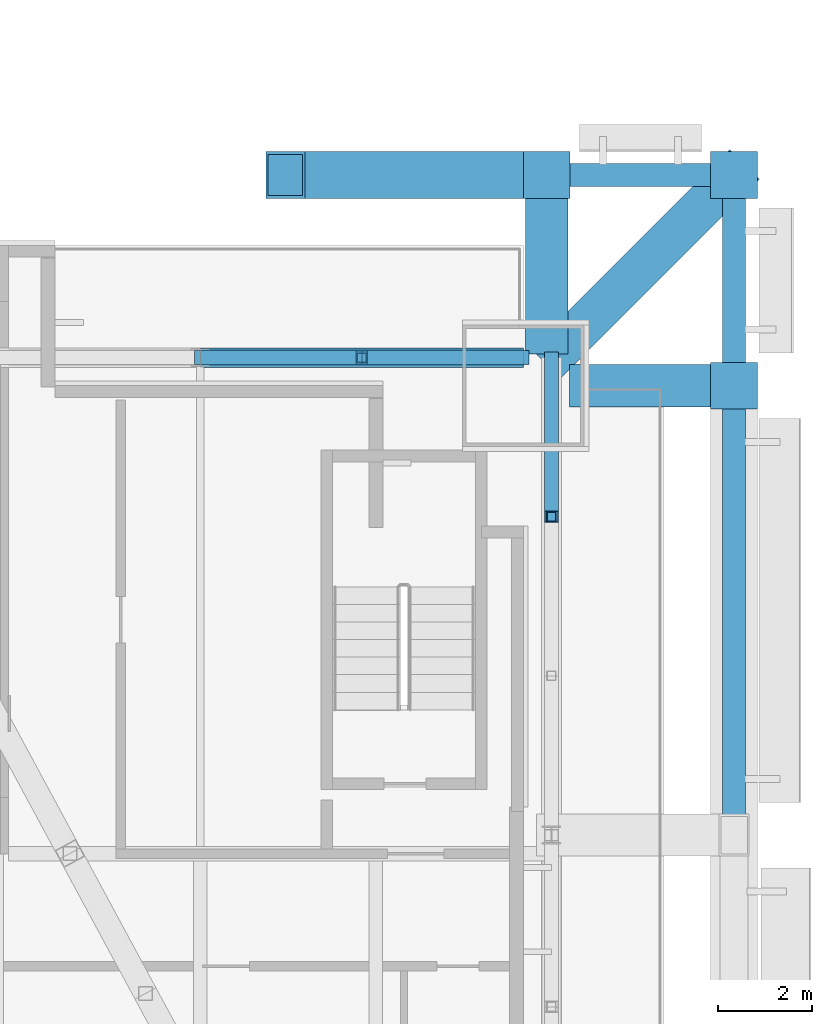
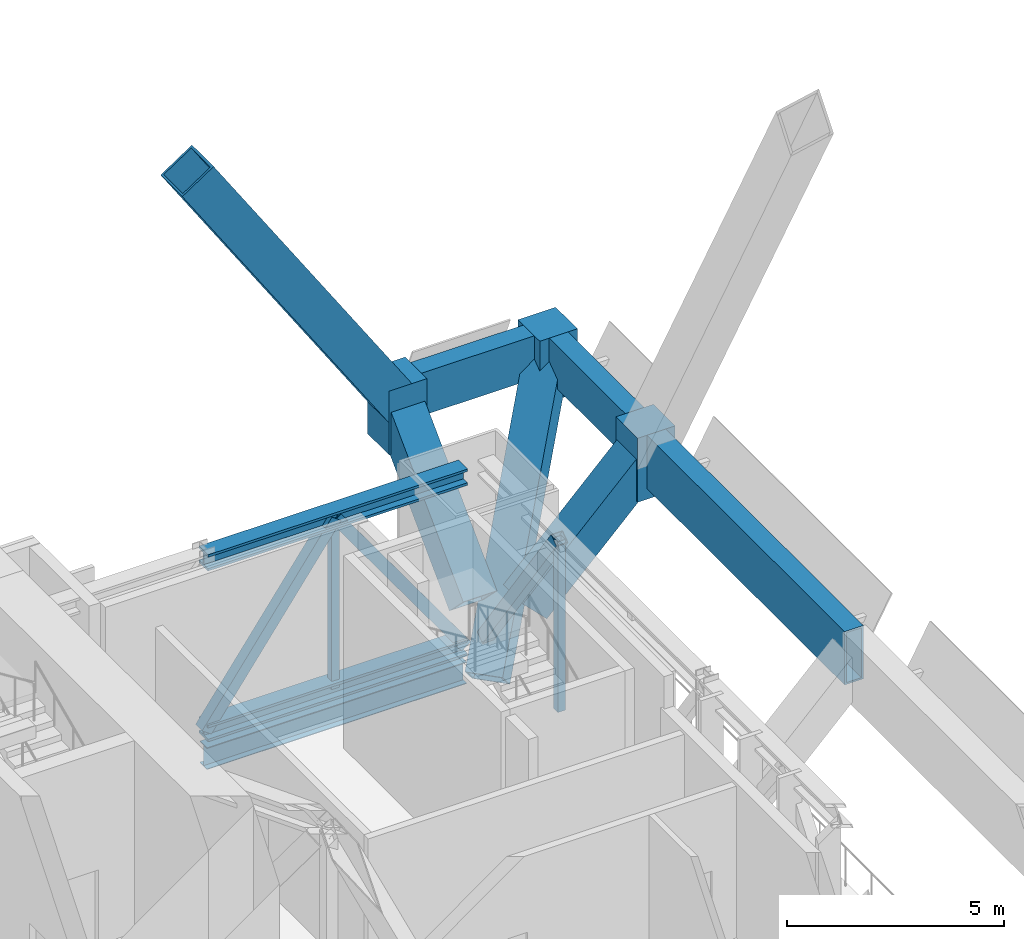
# One storey, part 18 of 30: 14 members, 4 beams.
"""IFC4 building model written with IfcOpenShell, lengths in metres."""

from ifc_helpers import new_model, si_unit, direction, frame, origin, origin_2d, place, context, subcontext, project, spatial, rectangle, hollow_rectangle, i_section, extrude, material, material_profile, profile_set, type_object, element, save


model = new_model("IFC4")

# Units and contexts
model_context = context("Model", 3, precision=1e-05, world=origin(), true_north=direction((0.0, 1.0)))
body_context = subcontext(model_context, "Body", "Model", "MODEL_VIEW")
ifc_project = project(units=[si_unit("LENGTHUNIT", "METRE"), si_unit("AREAUNIT", "SQUARE_METRE"), si_unit("VOLUMEUNIT", "CUBIC_METRE"), si_unit("PLANEANGLEUNIT", "RADIAN"), si_unit("MASSUNIT", "GRAM", prefix="KILO")], contexts=[model_context])

# Site, building, storey
site_placement = place(None, origin())
site = spatial("IfcSite", under=ifc_project, at=site_placement, CompositionType="ELEMENT")
building_placement = place(site_placement, origin())
building = spatial("IfcBuilding", under=site, at=building_placement, Name="Bicima Exchange Tower", CompositionType="ELEMENT")
storey_placement = place(building_placement, frame((0.0, 0.0, 185.5)))
storey = spatial("IfcBuildingStorey", under=building, at=storey_placement, Name="L41", CompositionType="ELEMENT", Elevation=185.5)

# Beams
ifc_material_1 = material(Name="Steel ASTM A572 Gr 50", Category="steel")
ifc_material_profile_1 = material_profile(ifc_material_1, hollow_rectangle(XDim=0.5, YDim=1.199951171875, WallThickness=0.0400390625, at=origin_2d()))
ifc_profile_set_1 = profile_set([ifc_material_profile_1], Name="Steel ASTM A572 Gr 50")
beam_type_1 = type_object("IfcBeamType", Name="Belt girder BOX 500x1200x40", PredefinedType="BEAM", material=ifc_profile_set_1)
beam_1_placement = place(storey_placement, frame((37.5, -3.0, 4.64990234375), z_axis=(0.0, 1.0, 0.0), x_axis=(-1.0, 0.0, 0.0)))
element("IfcBeam", 1, at=beam_1_placement, inside=storey, type_object=beam_type_1, Name="Belt girder", PredefinedType="BEAM", context=body_context, shape_type="SweptSolid", body=[
    extrude(hollow_rectangle(XDim=0.5, YDim=1.199951171875, WallThickness=0.0400390625, at=origin_2d()), origin(), (0.0, 0.0, 1.0), 4.5),
])
beam_2_placement = place(storey_placement, frame((37.5, 1.5, 4.64990234375), z_axis=(-1.0, 0.0, 0.0), x_axis=(0.0, -1.0, 0.0)))
element("IfcBeam", 2, at=beam_2_placement, inside=storey, type_object=beam_type_1, Name="Belt girder", PredefinedType="BEAM", context=body_context, shape_type="SweptSolid", body=[
    extrude(hollow_rectangle(XDim=0.5, YDim=1.199951171875, WallThickness=0.0400390625, at=origin_2d()), origin(), (0.0, 0.0, 1.0), 4.0),
])
ifc_material_profile_2 = material_profile(ifc_material_1, hollow_rectangle(XDim=0.5, YDim=1.5, WallThickness=0.050048828125, at=origin_2d()))
ifc_profile_set_2 = profile_set([ifc_material_profile_2], Name="Steel ASTM A572 Gr 50")
beam_type_2 = type_object("IfcBeamType", Name="Belt girder BOX 500x1500x50", PredefinedType="BEAM", material=ifc_profile_set_2)
beam_3_placement = place(storey_placement, frame((37.5, -12.60009765625, 4.5), z_axis=(0.0, 1.0, 0.0), x_axis=(-1.0, 0.0, 0.0)))
element("IfcBeam", 3, at=beam_3_placement, inside=storey, type_object=beam_type_2, Name="Belt girder", PredefinedType="BEAM", context=body_context, shape_type="SweptSolid", body=[
    extrude(hollow_rectangle(XDim=0.5, YDim=1.5, WallThickness=0.050048828125, at=origin_2d()), origin(), (0.0, 0.0, 1.0), 9.60009765625),
])

# Members
ifc_material_2 = material(Name="Steel ASTM A992 Gr 50", Category="steel")
ifc_material_profile_3 = material_profile(ifc_material_2, i_section(OverallWidth=0.419189453125, OverallDepth=0.45458984375, WebThickness=0.042236328125, FlangeThickness=0.067626953125, at=origin_2d()))
ifc_profile_set_3 = profile_set([ifc_material_profile_3], Name="Steel ASTM A992 Gr 50")
member_type_1 = type_object("IfcMemberType", Name="Belt truss chord W14x370", PredefinedType="CHORD", material=ifc_profile_set_3)
for number, where, z_axis, x_axis, name in (
    (4, (26.10009765625, -2.39990234375, 5.022705078125), (1.0, 0.0, 0.0), (0.0, 1.0, 0.0), "Top chord"),
    (5, (26.10009765625, -2.39990234375, 0.227294921875), (1.0, 0.0, 0.0), (0.0, 1.0, 0.0), "Bottom chord"),
):
    element("IfcMember", number, at=place(storey_placement, frame(where, z_axis=z_axis, x_axis=x_axis)), inside=storey, type_object=member_type_1, Name=name, PredefinedType="CHORD", context=body_context, shape_type="SweptSolid", body=[
        extrude(i_section(OverallWidth=0.419189453125, OverallDepth=0.45458984375, WebThickness=0.042236328125, FlangeThickness=0.067626953125, at=origin_2d()), origin(), (0.0, 0.0, 1.0), 6.89990234375),
    ])
ifc_material_profile_4 = material_profile(ifc_material_1, hollow_rectangle(XDim=0.3046875, YDim=0.3046875, WallThickness=0.01171875, at=origin_2d()))
ifc_profile_set_4 = profile_set([ifc_material_profile_4], Name="Steel ASTM A572 Gr 50")
member_type_2 = type_object("IfcMemberType", Name="Belt truss diagonal HSS12x12x1/2", PredefinedType="STRUT", material=ifc_profile_set_4)
for number, where, z_axis, x_axis, name in (
    (6, (26.10009765625, -2.39990234375, 0.227294921875), (0.583998756388, 0.0, 0.811754551905), (0.0, 1.0, 0.0), "Truss diagonal"),
    (7, (29.550048828125, -2.39990234375, 5.022705078125), (0.583998756388, 0.0, -0.811754551905), (0.0, 1.0, 0.0), "Truss diagonal"),
):
    element("IfcMember", number, at=place(storey_placement, frame(where, z_axis=z_axis, x_axis=x_axis)), inside=storey, type_object=member_type_2, Name=name, PredefinedType="STRUT", context=body_context, shape_type="SweptSolid", body=[
        extrude(hollow_rectangle(XDim=0.3046875, YDim=0.3046875, WallThickness=0.01171875, at=origin_2d()), origin(), (0.0, 0.0, 1.0), 5.907470703125),
    ])
member_1_placement = place(storey_placement, frame((33.60009765625, -2.39990234375, 0.227294921875), z_axis=(0.0, -0.578402146369, 0.815751774179), x_axis=(1.0, 0.0, 0.0)))
element("IfcMember", 8, at=member_1_placement, inside=storey, type_object=member_type_2, Name="Truss diagonal", PredefinedType="STRUT", context=body_context, shape_type="SweptSolid", body=[
    extrude(hollow_rectangle(XDim=0.3046875, YDim=0.3046875, WallThickness=0.01171875, at=origin_2d()), origin(), (0.0, 0.0, 1.0), 5.87841796875),
])
ifc_material_profile_5 = material_profile(ifc_material_1, hollow_rectangle(XDim=0.203125, YDim=0.203125, WallThickness=0.01171875, at=origin_2d()))
ifc_profile_set_5 = profile_set([ifc_material_profile_5], Name="Steel ASTM A572 Gr 50")
member_type_3 = type_object("IfcMemberType", Name="Belt truss post HSS8x8x1/2", PredefinedType="POST", material=ifc_profile_set_5)
for number, where, z_axis, x_axis, name in (
    (9, (29.550048828125, -2.39990234375, 0.227294921875), (0.0, 0.0, 1.0), (1.0, 0.0, 0.0), "Truss post"),
    (10, (33.60009765625, -5.800048828125, 0.227294921875), (0.0, 0.0, 1.0), (1.0, 0.0, 0.0), "Truss post"),
):
    element("IfcMember", number, at=place(storey_placement, frame(where, z_axis=z_axis, x_axis=x_axis)), inside=storey, type_object=member_type_3, Name=name, PredefinedType="POST", context=body_context, shape_type="SweptSolid", body=[
        extrude(hollow_rectangle(XDim=0.203125, YDim=0.203125, WallThickness=0.01171875, at=origin_2d()), origin(), (0.0, 0.0, 1.0), 4.79541015625),
    ])
ifc_material_profile_6 = material_profile(ifc_material_1, hollow_rectangle(XDim=1.0, YDim=1.0, WallThickness=0.06005859375, at=origin_2d()))
ifc_profile_set_6 = profile_set([ifc_material_profile_6], Name="Steel ASTM A572 Gr 50")
member_type_4 = type_object("IfcMemberType", Name="Exo mega brace BOX 1000x1000x60", PredefinedType="BRACE", material=ifc_profile_set_6)
member_2_placement = place(storey_placement, frame((33.5, 1.5, 4.5), z_axis=(-0.552785436873, 0.0, 0.833323623079), x_axis=(0.0, -1.0, 0.0)))
element("IfcMember", 11, at=member_2_placement, inside=storey, type_object=member_type_4, Name="Exo mega brace rear", PredefinedType="BRACE", context=body_context, shape_type="SweptSolid", body=[
    extrude(hollow_rectangle(XDim=1.0, YDim=1.0, WallThickness=0.06005859375, at=origin_2d()), origin(), (0.0, 0.0, 1.0), 10.10009765625),
])
ifc_material_3 = material(Name="Cast steel ASTM A216 Gr WCB", Category="steel")
ifc_material_profile_7 = material_profile(ifc_material_3, rectangle(XDim=1.0, YDim=1.0, at=origin_2d()))
ifc_profile_set_7 = profile_set([ifc_material_profile_7], Name="Cast steel ASTM A216 Gr WCB")
member_type_5 = type_object("IfcMemberType", Name="Exo node block", PredefinedType="POST", material=ifc_profile_set_7)
for number, where, z_axis, x_axis, name in (
    (12, (37.5, -3.0, 3.449951171875), (0.0, 0.0, 1.0), (1.0, 0.0, 0.0), "Exo node block"),
    (13, (37.5, 1.5, 3.449951171875), (0.0, 0.0, 1.0), (1.0, 0.0, 0.0), "Exo node block"),
    (14, (33.5, 1.5, 3.449951171875), (0.0, 0.0, 1.0), (1.0, 0.0, 0.0), "Exo node block"),
):
    element("IfcMember", number, at=place(storey_placement, frame(where, z_axis=z_axis, x_axis=x_axis)), inside=storey, type_object=member_type_5, Name=name, PredefinedType="POST", context=body_context, shape_type="SweptSolid", body=[
        extrude(rectangle(XDim=1.0, YDim=1.0, at=origin_2d()), origin(), (0.0, 0.0, 1.0), 1.800048828125),
    ])
ifc_material_profile_8 = material_profile(ifc_material_1, hollow_rectangle(XDim=0.89990234375, YDim=0.89990234375, WallThickness=0.050048828125, at=origin_2d()))
ifc_profile_set_8 = profile_set([ifc_material_profile_8], Name="Steel ASTM A572 Gr 50")
member_type_6 = type_object("IfcMemberType", Name="Exo outrigger stub BOX 900x900x50", PredefinedType="STRUT", material=ifc_profile_set_8)
member_3_placement = place(storey_placement, frame((34.300048828125, -3.0, 1.300048828125), z_axis=(0.707106781187, 0.0, 0.707106781187), x_axis=(0.0, 1.0, 0.0)))
element("IfcMember", 15, at=member_3_placement, inside=storey, type_object=member_type_6, Name="Exo outrigger stub", PredefinedType="STRUT", context=body_context, shape_type="SweptSolid", body=[
    extrude(hollow_rectangle(XDim=0.89990234375, YDim=0.89990234375, WallThickness=0.050048828125, at=origin_2d()), origin(), (0.0, 0.0, 1.0), 4.525390625),
])
member_4_placement = place(storey_placement, frame((33.70703125, -2.29296875, -1.06396484375), z_axis=(0.490771835187, 0.490771835187, 0.719920837019), x_axis=(-0.707106781187, 0.707106781187, 0.0)))
element("IfcMember", 16, at=member_4_placement, inside=storey, type_object=member_type_6, Name="Exo outrigger stub", PredefinedType="STRUT", context=body_context, shape_type="SweptSolid", body=[
    extrude(hollow_rectangle(XDim=0.89990234375, YDim=0.89990234375, WallThickness=0.050048828125, at=origin_2d()), origin(), (0.0, 0.0, 1.0), 7.728515625),
])
member_5_placement = place(storey_placement, frame((33.5, -2.0, 1.0), z_axis=(0.0, 0.707106781187, 0.707106781187), x_axis=(-1.0, 0.0, 0.0)))
element("IfcMember", 17, at=member_5_placement, inside=storey, type_object=member_type_6, Name="Exo outrigger stub", PredefinedType="STRUT", context=body_context, shape_type="SweptSolid", body=[
    extrude(hollow_rectangle(XDim=0.89990234375, YDim=0.89990234375, WallThickness=0.050048828125, at=origin_2d()), origin(), (0.0, 0.0, 1.0), 4.94970703125),
])

# Beam
ifc_material_profile_9 = material_profile(ifc_material_2, i_section(OverallWidth=0.3251953125, OverallDepth=0.612060546875, WebThickness=0.0126953125, FlangeThickness=0.01904296875, at=origin_2d()))
ifc_profile_set_9 = profile_set([ifc_material_profile_9], Name="Steel ASTM A992 Gr 50")
beam_type_3 = type_object("IfcBeamType", Name="Rear girder W24x104", PredefinedType="BEAM", material=ifc_profile_set_9)
beam_4_placement = place(storey_placement, frame((26.10009765625, -2.39990234375, -0.506103515625), z_axis=(1.0, 0.0, 0.0), x_axis=(0.0, 1.0, 0.0)))
element("IfcBeam", 18, at=beam_4_placement, inside=storey, type_object=beam_type_3, Name="Rear girder", PredefinedType="BEAM", context=body_context, shape_type="SweptSolid", body=[
    extrude(i_section(OverallWidth=0.3251953125, OverallDepth=0.612060546875, WebThickness=0.0126953125, FlangeThickness=0.01904296875, at=origin_2d()), origin(), (0.0, 0.0, 1.0), 6.89990234375),
])

save(model, "model.ifc")
